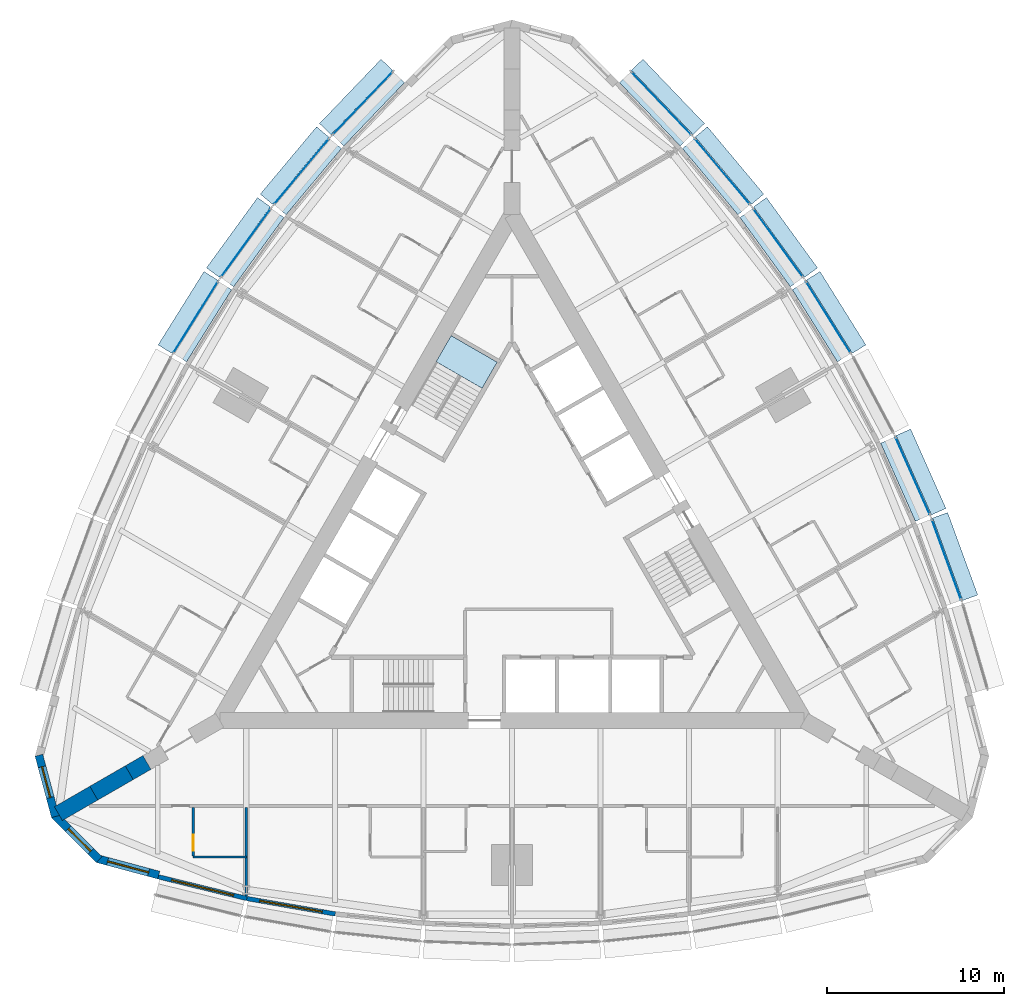
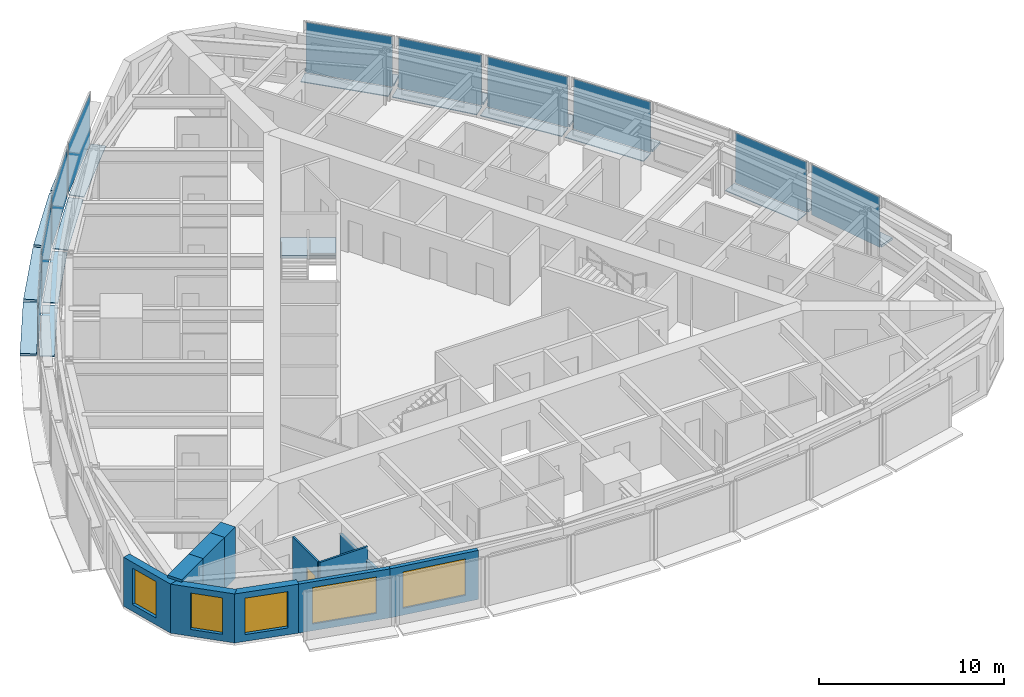
# One storey, part 7 of 14: 29 plates, 11 walls, 5 windows, 1 door, 1 slab, 6 openings, 11 elements without a shape of their own.
"""IFC4 building model written with IfcOpenShell, lengths in metres."""

from ifc_helpers import new_model, si_unit, direction, frame, frame_2d, origin, origin_2d, place, context, subcontext, project, spatial, polyline, rectangle, outline, extrude, material, layer, layer_set, type_object, element, fill, aggregate, save


model = new_model("IFC4")

# Units and contexts
model_context = context("Model", 3, precision=1e-05, world=origin(), true_north=direction((0.0, 1.0)))
body_context = subcontext(model_context, "Body", "Model", "MODEL_VIEW")
ifc_project = project(units=[si_unit("LENGTHUNIT", "METRE"), si_unit("AREAUNIT", "SQUARE_METRE"), si_unit("VOLUMEUNIT", "CUBIC_METRE"), si_unit("PLANEANGLEUNIT", "RADIAN"), si_unit("MASSUNIT", "GRAM", prefix="KILO")], contexts=[model_context])

# Site, building, storey
site_placement = place(None, origin())
site = spatial("IfcSite", under=ifc_project, at=site_placement, CompositionType="ELEMENT")
building_placement = place(site_placement, origin())
building = spatial("IfcBuilding", under=site, at=building_placement, Name="Trikona Tower", CompositionType="ELEMENT")
storey_placement = place(building_placement, frame((0.0, 0.0, 131.699951171875)))
storey = spatial("IfcBuildingStorey", under=building, at=storey_placement, Name="L34", CompositionType="ELEMENT", Elevation=131.699951171875)

# Plates
ifc_material_1 = material(Name="Aluminium bar grating", Category="aluminium")
ifc_layer_1 = layer(ifc_material_1, 0.050048828125)
ifc_layer_set_1 = layer_set([ifc_layer_1], Name="Cavity catwalk grating")
plate_type_1 = type_object("IfcPlateType", Name="Cavity catwalk grating", PredefinedType="USERDEFINED", material=ifc_layer_set_1)
plate_1_placement = place(storey_placement, frame((22.175048828125, 4.092529296875, -0.0498046875), z_axis=(0.0, 0.0, 1.0), x_axis=(-0.406843467615, 0.913497888809, 0.0)))
element("IfcPlate", 1, at=plate_1_placement, inside=storey, type_object=plate_type_1, Name="Cavity catwalk L34-14", ObjectType="CATWALK GRATING", PredefinedType="USERDEFINED", context=body_context, shape_type="SweptSolid", body=[
    extrude(rectangle(XDim=4.827392578125, YDim=0.830078125, at=origin_2d()), origin(), (0.0, 0.0, 1.0), 0.050048828125),
])
plate_2_placement = place(storey_placement, frame((17.450927734375, 12.978759765625, -0.0498046875), z_axis=(0.0, 0.0, 1.0), x_axis=(-0.529994748414, 0.848000923734, 0.0)))
element("IfcPlate", 2, at=plate_2_placement, inside=storey, type_object=plate_type_1, Name="Cavity catwalk L34-16", ObjectType="CATWALK GRATING", PredefinedType="USERDEFINED", context=body_context, shape_type="SweptSolid", body=[
    extrude(rectangle(XDim=4.802978515625, YDim=0.830078125, at=origin_2d()), origin(), (0.0, 0.0, 1.0), 0.050048828125),
])
plate_3_placement = place(storey_placement, frame((14.6318359375, 17.157958984375, -0.0498046875), z_axis=(0.0, 0.0, 1.0), x_axis=(-0.587686407834, 0.809088799853, 0.0)))
element("IfcPlate", 3, at=plate_3_placement, inside=storey, type_object=plate_type_1, Name="Cavity catwalk L34-17", ObjectType="CATWALK GRATING", PredefinedType="USERDEFINED", context=body_context, shape_type="SweptSolid", body=[
    extrude(rectangle(XDim=4.827392578125, YDim=0.830078125, at=origin_2d()), origin(), (0.0, 0.0, 1.0), 0.050048828125),
])
plate_4_placement = place(storey_placement, frame((11.508056640625, 21.160400390625, -0.0498046875), z_axis=(0.0, 0.0, 1.0), x_axis=(-0.641807063101, 0.766866151133, 0.0)))
element("IfcPlate", 4, at=plate_4_placement, inside=storey, type_object=plate_type_1, Name="Cavity catwalk L34-18", ObjectType="CATWALK GRATING", PredefinedType="USERDEFINED", context=body_context, shape_type="SweptSolid", body=[
    extrude(rectangle(XDim=4.8759765625, YDim=0.830078125, at=origin_2d()), origin(), (0.0, 0.0, 1.0), 0.050048828125),
])
for number, where, z_axis, x_axis, name in (
    (5, (8.080078125, 24.986328125, -0.0498046875), (0.0, 0.0, 1.0), (-0.691723573819, 0.722162376078, 0.0), "Cavity catwalk L34-19"),
    (6, (-8.080078125, 24.986328125, -0.0498046875), (0.0, 0.0, 1.0), (-0.691723573819, -0.722162376078, 0.0), "Cavity catwalk L34-24"),
):
    element("IfcPlate", number, at=place(storey_placement, frame(where, z_axis=z_axis, x_axis=x_axis)), inside=storey, type_object=plate_type_1, Name=name, ObjectType="CATWALK GRATING", PredefinedType="USERDEFINED", context=body_context, shape_type="SweptSolid", body=[
        extrude(rectangle(XDim=4.947998046875, YDim=0.830078125, at=origin_2d()), origin(), (0.0, 0.0, 1.0), 0.050048828125),
    ])
plate_5_placement = place(storey_placement, frame((-11.508056640625, 21.160400390625, -0.0498046875), z_axis=(0.0, 0.0, 1.0), x_axis=(-0.641807063101, -0.766866151133, 0.0)))
element("IfcPlate", 7, at=plate_5_placement, inside=storey, type_object=plate_type_1, Name="Cavity catwalk L34-25", ObjectType="CATWALK GRATING", PredefinedType="USERDEFINED", context=body_context, shape_type="SweptSolid", body=[
    extrude(rectangle(XDim=4.8759765625, YDim=0.830078125, at=origin_2d()), origin(), (0.0, 0.0, 1.0), 0.050048828125),
])
plate_6_placement = place(storey_placement, frame((-14.6318359375, 17.157958984375, -0.0498046875), z_axis=(0.0, 0.0, 1.0), x_axis=(-0.587686407834, -0.809088799853, 0.0)))
element("IfcPlate", 8, at=plate_6_placement, inside=storey, type_object=plate_type_1, Name="Cavity catwalk L34-26", ObjectType="CATWALK GRATING", PredefinedType="USERDEFINED", context=body_context, shape_type="SweptSolid", body=[
    extrude(rectangle(XDim=4.827392578125, YDim=0.830078125, at=origin_2d()), origin(), (0.0, 0.0, 1.0), 0.050048828125),
])
plate_7_placement = place(storey_placement, frame((-17.450927734375, 12.978759765625, -0.0498046875), z_axis=(0.0, 0.0, 1.0), x_axis=(-0.529994748414, -0.848000923734, 0.0)))
element("IfcPlate", 9, at=plate_7_placement, inside=storey, type_object=plate_type_1, Name="Cavity catwalk L34-27", ObjectType="CATWALK GRATING", PredefinedType="USERDEFINED", context=body_context, shape_type="SweptSolid", body=[
    extrude(rectangle(XDim=4.802978515625, YDim=0.830078125, at=origin_2d()), origin(), (0.0, 0.0, 1.0), 0.050048828125),
])

# Curtain wall, plate
ifc_material_2 = material(Name="Aluminium curtain wall system", Category="aluminium")
curtain_wall_type = type_object("IfcCurtainWallType", Name="Curtain wall DS2", PredefinedType="NOTDEFINED", material=ifc_material_2)
curtain_wall_1_placement = place(storey_placement, origin())
curtain_wall_1 = element("IfcCurtainWall", 10, at=curtain_wall_1_placement, inside=storey, type_object=curtain_wall_type, Name="Curtain wall DS2 L34", PredefinedType="NOTDEFINED")
ifc_material_3 = material(Name="Laminated clear glass", Category="glass")
ifc_layer_2 = layer(ifc_material_3, 0.028076171875)
ifc_layer_set_2 = layer_set([ifc_layer_2], Name="Glass panel DS2")
plate_type_2 = type_object("IfcPlateType", Name="Glass panel DS2", PredefinedType="CURTAIN_PANEL", material=ifc_layer_set_2)
plate_8_placement = place(storey_placement, frame((24.53515625, -0.447509765625, 0.0), z_axis=(0.0, 0.0, 1.0), x_axis=(-0.343223420143, 0.939253790978, 0.0)))
plate_8 = element("IfcPlate", 11, at=plate_8_placement, type_object=plate_type_2, Name="CW-DS2 panel 1.1", PredefinedType="CURTAIN_PANEL", context=body_context, shape_type="SweptSolid", body=[
    extrude(rectangle(XDim=4.7958984375, YDim=0.028076171875, at=origin_2d()), origin(), (0.0, 0.0, 1.0), 3.320068359375),
])
aggregate(curtain_wall_1, [plate_8])

curtain_wall_2_placement = place(storey_placement, origin())
curtain_wall_2 = element("IfcCurtainWall", 12, at=curtain_wall_2_placement, inside=storey, type_object=curtain_wall_type, Name="Curtain wall DS2 L34", PredefinedType="NOTDEFINED")
plate_9_placement = place(storey_placement, frame((22.6181640625, 4.289794921875, 0.0), z_axis=(0.0, 0.0, 1.0), x_axis=(-0.406836013132, 0.913501208767, 0.0)))
plate_9 = element("IfcPlate", 13, at=plate_9_placement, type_object=plate_type_2, Name="CW-DS2 panel 1.1", PredefinedType="CURTAIN_PANEL", context=body_context, shape_type="SweptSolid", body=[
    extrude(rectangle(XDim=4.747314453125, YDim=0.028076171875, at=origin_2d()), origin(), (0.0, 0.0, 1.0), 3.320068359375),
])
aggregate(curtain_wall_2, [plate_9])

curtain_wall_3_placement = place(storey_placement, origin())
curtain_wall_3 = element("IfcCurtainWall", 14, at=curtain_wall_3_placement, inside=storey, type_object=curtain_wall_type, Name="Curtain wall DS2 L34", PredefinedType="NOTDEFINED")
plate_10_placement = place(storey_placement, frame((17.8623046875, 13.23583984375, 0.0), z_axis=(0.0, 0.0, 1.0), x_axis=(-0.529998940002, 0.847998304006, 0.0)))
plate_10 = element("IfcPlate", 15, at=plate_10_placement, type_object=plate_type_2, Name="CW-DS2 panel 1.1", PredefinedType="CURTAIN_PANEL", context=body_context, shape_type="SweptSolid", body=[
    extrude(rectangle(XDim=4.72314453125, YDim=0.028076171875, at=origin_2d()), origin(), (0.0, 0.0, 1.0), 3.320068359375),
])
aggregate(curtain_wall_3, [plate_10])

curtain_wall_4_placement = place(storey_placement, origin())
curtain_wall_4 = element("IfcCurtainWall", 16, at=curtain_wall_4_placement, inside=storey, type_object=curtain_wall_type, Name="Curtain wall DS2 L34", PredefinedType="NOTDEFINED")
plate_11_placement = place(storey_placement, frame((15.024169921875, 17.443115234375, 0.0), z_axis=(0.0, 0.0, 1.0), x_axis=(-0.587690588313, 0.80908576332, 0.0)))
plate_11 = element("IfcPlate", 17, at=plate_11_placement, type_object=plate_type_2, Name="CW-DS2 panel 1.1", PredefinedType="CURTAIN_PANEL", context=body_context, shape_type="SweptSolid", body=[
    extrude(rectangle(XDim=4.74755859375, YDim=0.028076171875, at=origin_2d()), origin(), (0.0, 0.0, 1.0), 3.320068359375),
])
aggregate(curtain_wall_4, [plate_11])

curtain_wall_5_placement = place(storey_placement, origin())
curtain_wall_5 = element("IfcCurtainWall", 18, at=curtain_wall_5_placement, inside=storey, type_object=curtain_wall_type, Name="Curtain wall DS2 L34", PredefinedType="NOTDEFINED")
plate_12_placement = place(storey_placement, frame((11.8798828125, 21.4716796875, 0.0), z_axis=(0.0, 0.0, 1.0), x_axis=(-0.641806433248, 0.766866678271, 0.0)))
plate_12 = element("IfcPlate", 19, at=plate_12_placement, type_object=plate_type_2, Name="CW-DS2 panel 1.1", PredefinedType="CURTAIN_PANEL", context=body_context, shape_type="SweptSolid", body=[
    extrude(rectangle(XDim=4.7958984375, YDim=0.028076171875, at=origin_2d()), origin(), (0.0, 0.0, 1.0), 3.320068359375),
])
aggregate(curtain_wall_5, [plate_12])

curtain_wall_6_placement = place(storey_placement, origin())
curtain_wall_6 = element("IfcCurtainWall", 20, at=curtain_wall_6_placement, inside=storey, type_object=curtain_wall_type, Name="Curtain wall DS2 L34", PredefinedType="NOTDEFINED")
plate_13_placement = place(storey_placement, frame((8.430419921875, 25.32177734375, 0.0), z_axis=(0.0, 0.0, 1.0), x_axis=(-0.691727797117, 0.722158330767, 0.0)))
plate_13 = element("IfcPlate", 21, at=plate_13_placement, type_object=plate_type_2, Name="CW-DS2 panel 1.1", PredefinedType="CURTAIN_PANEL", context=body_context, shape_type="SweptSolid", body=[
    extrude(rectangle(XDim=4.867919921875, YDim=0.028076171875, at=origin_2d()), origin(), (0.0, 0.0, 1.0), 3.320068359375),
])
aggregate(curtain_wall_6, [plate_13])

curtain_wall_7_placement = place(storey_placement, origin())
curtain_wall_7 = element("IfcCurtainWall", 22, at=curtain_wall_7_placement, inside=storey, type_object=curtain_wall_type, Name="Curtain wall DS2 L34", PredefinedType="NOTDEFINED")
plate_14_placement = place(storey_placement, frame((-8.430419921875, 25.32177734375, 0.0), z_axis=(0.0, 0.0, 1.0), x_axis=(-0.691727797117, -0.722158330767, 0.0)))
plate_14 = element("IfcPlate", 23, at=plate_14_placement, type_object=plate_type_2, Name="CW-DS2 panel 1.1", PredefinedType="CURTAIN_PANEL", context=body_context, shape_type="SweptSolid", body=[
    extrude(rectangle(XDim=4.867919921875, YDim=0.028076171875, at=origin_2d()), origin(), (0.0, 0.0, 1.0), 3.320068359375),
])
aggregate(curtain_wall_7, [plate_14])

curtain_wall_8_placement = place(storey_placement, origin())
curtain_wall_8 = element("IfcCurtainWall", 24, at=curtain_wall_8_placement, inside=storey, type_object=curtain_wall_type, Name="Curtain wall DS2 L34", PredefinedType="NOTDEFINED")
plate_15_placement = place(storey_placement, frame((-11.8798828125, 21.4716796875, 0.0), z_axis=(0.0, 0.0, 1.0), x_axis=(-0.641806433248, -0.766866678271, 0.0)))
plate_15 = element("IfcPlate", 25, at=plate_15_placement, type_object=plate_type_2, Name="CW-DS2 panel 1.1", PredefinedType="CURTAIN_PANEL", context=body_context, shape_type="SweptSolid", body=[
    extrude(rectangle(XDim=4.7958984375, YDim=0.028076171875, at=origin_2d()), origin(), (0.0, 0.0, 1.0), 3.320068359375),
])
aggregate(curtain_wall_8, [plate_15])

curtain_wall_9_placement = place(storey_placement, origin())
curtain_wall_9 = element("IfcCurtainWall", 26, at=curtain_wall_9_placement, inside=storey, type_object=curtain_wall_type, Name="Curtain wall DS2 L34", PredefinedType="NOTDEFINED")
plate_16_placement = place(storey_placement, frame((-15.024169921875, 17.443115234375, 0.0), z_axis=(0.0, 0.0, 1.0), x_axis=(-0.587690588313, -0.80908576332, 0.0)))
plate_16 = element("IfcPlate", 27, at=plate_16_placement, type_object=plate_type_2, Name="CW-DS2 panel 1.1", PredefinedType="CURTAIN_PANEL", context=body_context, shape_type="SweptSolid", body=[
    extrude(rectangle(XDim=4.74755859375, YDim=0.028076171875, at=origin_2d()), origin(), (0.0, 0.0, 1.0), 3.320068359375),
])
aggregate(curtain_wall_9, [plate_16])

curtain_wall_10_placement = place(storey_placement, origin())
curtain_wall_10 = element("IfcCurtainWall", 28, at=curtain_wall_10_placement, inside=storey, type_object=curtain_wall_type, Name="Curtain wall DS2 L34", PredefinedType="NOTDEFINED")
plate_17_placement = place(storey_placement, frame((-17.8623046875, 13.23583984375, 0.0), z_axis=(0.0, 0.0, 1.0), x_axis=(-0.529998940002, -0.847998304006, 0.0)))
plate_17 = element("IfcPlate", 29, at=plate_17_placement, type_object=plate_type_2, Name="CW-DS2 panel 1.1", PredefinedType="CURTAIN_PANEL", context=body_context, shape_type="SweptSolid", body=[
    extrude(rectangle(XDim=4.72314453125, YDim=0.028076171875, at=origin_2d()), origin(), (0.0, 0.0, 1.0), 3.320068359375),
])
aggregate(curtain_wall_10, [plate_17])

# Plates
ifc_material_4 = material(Name="Aluminium plate fin, pale anodised, on stainless steel outriggers", Category="steel")
ifc_layer_3 = layer(ifc_material_4, 0.14990234375)
ifc_layer_set_3 = layer_set([ifc_layer_3], Name="Outer skin fin 900")
plate_type_3 = type_object("IfcPlateType", Name="Outer skin fin 900", PredefinedType="USERDEFINED", material=ifc_layer_set_3)
plate_18_placement = place(storey_placement, frame((25.0234375, -0.26904296875, 0.0), z_axis=(0.0, 0.0, 1.0), x_axis=(-0.343220397324, 0.939254895575, 0.0)))
element("IfcPlate", 30, at=plate_18_placement, inside=storey, type_object=plate_type_3, Name="Outer skin fin L34-13", ObjectType="FIN", PredefinedType="USERDEFINED", context=body_context, shape_type="SweptSolid", body=[
    extrude(rectangle(XDim=4.9560546875, YDim=0.89990234375, at=origin_2d()), origin(), (0.0, 0.0, 1.0), 0.14990234375),
])
plate_19_placement = place(storey_placement, frame((23.09326171875, 4.50146484375, 0.0), z_axis=(0.0, 0.0, 1.0), x_axis=(-0.406843467615, 0.913497888809, 0.0)))
element("IfcPlate", 31, at=plate_19_placement, inside=storey, type_object=plate_type_3, Name="Outer skin fin L34-14", ObjectType="FIN", PredefinedType="USERDEFINED", context=body_context, shape_type="SweptSolid", body=[
    extrude(rectangle(XDim=4.907470703125, YDim=0.89990234375, at=origin_2d()), origin(), (0.0, 0.0, 1.0), 0.14990234375),
])
plate_20_placement = place(storey_placement, frame((18.30322265625, 13.511474609375, 0.0), z_axis=(0.0, 0.0, 1.0), x_axis=(-0.529994748414, 0.848000923734, 0.0)))
element("IfcPlate", 32, at=plate_20_placement, inside=storey, type_object=plate_type_3, Name="Outer skin fin L34-16", ObjectType="FIN", PredefinedType="USERDEFINED", context=body_context, shape_type="SweptSolid", body=[
    extrude(rectangle(XDim=4.883056640625, YDim=0.89990234375, at=origin_2d()), origin(), (0.0, 0.0, 1.0), 0.14990234375),
])
plate_21_placement = place(storey_placement, frame((15.44482421875, 17.74853515625, 0.0), z_axis=(0.0, 0.0, 1.0), x_axis=(-0.587686407834, 0.809088799853, 0.0)))
element("IfcPlate", 33, at=plate_21_placement, inside=storey, type_object=plate_type_3, Name="Outer skin fin L34-17", ObjectType="FIN", PredefinedType="USERDEFINED", context=body_context, shape_type="SweptSolid", body=[
    extrude(rectangle(XDim=4.907470703125, YDim=0.89990234375, at=origin_2d()), origin(), (0.0, 0.0, 1.0), 0.14990234375),
])
plate_22_placement = place(storey_placement, frame((12.27880859375, 21.8056640625, 0.0), z_axis=(0.0, 0.0, 1.0), x_axis=(-0.641807063101, 0.766866151133, 0.0)))
element("IfcPlate", 34, at=plate_22_placement, inside=storey, type_object=plate_type_3, Name="Outer skin fin L34-18", ObjectType="FIN", PredefinedType="USERDEFINED", context=body_context, shape_type="SweptSolid", body=[
    extrude(rectangle(XDim=4.9560546875, YDim=0.89990234375, at=origin_2d()), origin(), (0.0, 0.0, 1.0), 0.14990234375),
])
for number, where, z_axis, x_axis, name in (
    (35, (8.805908203125, 25.681396484375, 0.0), (0.0, 0.0, 1.0), (-0.691723573819, 0.722162376078, 0.0), "Outer skin fin L34-19"),
    (36, (-8.805908203125, 25.681396484375, 0.0), (0.0, 0.0, 1.0), (-0.691723573819, -0.722162376078, 0.0), "Outer skin fin L34-24"),
):
    element("IfcPlate", number, at=place(storey_placement, frame(where, z_axis=z_axis, x_axis=x_axis)), inside=storey, type_object=plate_type_3, Name=name, ObjectType="FIN", PredefinedType="USERDEFINED", context=body_context, shape_type="SweptSolid", body=[
        extrude(rectangle(XDim=5.02783203125, YDim=0.89990234375, at=origin_2d()), origin(), (0.0, 0.0, 1.0), 0.14990234375),
    ])
plate_23_placement = place(storey_placement, frame((-12.27880859375, 21.8056640625, 0.0), z_axis=(0.0, 0.0, 1.0), x_axis=(-0.641807063101, -0.766866151133, 0.0)))
element("IfcPlate", 37, at=plate_23_placement, inside=storey, type_object=plate_type_3, Name="Outer skin fin L34-25", ObjectType="FIN", PredefinedType="USERDEFINED", context=body_context, shape_type="SweptSolid", body=[
    extrude(rectangle(XDim=4.9560546875, YDim=0.89990234375, at=origin_2d()), origin(), (0.0, 0.0, 1.0), 0.14990234375),
])
plate_24_placement = place(storey_placement, frame((-15.44482421875, 17.74853515625, 0.0), z_axis=(0.0, 0.0, 1.0), x_axis=(-0.587686407834, -0.809088799853, 0.0)))
element("IfcPlate", 38, at=plate_24_placement, inside=storey, type_object=plate_type_3, Name="Outer skin fin L34-26", ObjectType="FIN", PredefinedType="USERDEFINED", context=body_context, shape_type="SweptSolid", body=[
    extrude(rectangle(XDim=4.907470703125, YDim=0.89990234375, at=origin_2d()), origin(), (0.0, 0.0, 1.0), 0.14990234375),
])
plate_25_placement = place(storey_placement, frame((-18.30322265625, 13.511474609375, 0.0), z_axis=(0.0, 0.0, 1.0), x_axis=(-0.529994748414, -0.848000923734, 0.0)))
element("IfcPlate", 39, at=plate_25_placement, inside=storey, type_object=plate_type_3, Name="Outer skin fin L34-27", ObjectType="FIN", PredefinedType="USERDEFINED", context=body_context, shape_type="SweptSolid", body=[
    extrude(rectangle(XDim=4.883056640625, YDim=0.89990234375, at=origin_2d()), origin(), (0.0, 0.0, 1.0), 0.14990234375),
])

# Stair, slab
ifc_material_5 = material(Name="Concrete f'c 5000 psi", Category="concrete")
stair_type = type_object("IfcStairType", Name="Core stair", PredefinedType="HALF_TURN_STAIR", material=ifc_material_5)
stair_placement = place(storey_placement, origin())
stair = element("IfcStair", 40, at=stair_placement, inside=storey, type_object=stair_type, Name="Stair C L34", PredefinedType="HALF_TURN_STAIR")
ifc_material_6 = material(Name="Concrete f'c 5000 psi", Category="concrete")
ifc_layer_4 = layer(ifc_material_6, 0.199951171875)
ifc_layer_set_4 = layer_set([ifc_layer_4], Name="Stair landing 200")
slab_type = type_object("IfcSlabType", Name="Stair landing 200", PredefinedType="LANDING", material=ifc_layer_set_4)
slab_placement = place(storey_placement, frame((0.0, 0.0, 1.5)))
slab = element("IfcSlab", 41, at=slab_placement, type_object=slab_type, Name="ST-C landing 2", PredefinedType="LANDING", context=body_context, shape_type="SweptSolid", body=[
    extrude(outline(polyline([(-0.837158203125, 10.702392578125), (-1.688720703125, 9.2275390625), (-4.286865234375, 10.7275390625), (-3.435302734375, 12.202392578125), (-0.837158203125, 10.702392578125)])), origin(), (0.0, 0.0, 1.0), 0.199951171875),
])
aggregate(stair, [slab])

# Wall
ifc_material_7 = material(Name="Metal stud and cement board", Category="gypsum")
ifc_layer_5 = layer(ifc_material_7, 0.1201171875)
ifc_layer_set_5 = layer_set([ifc_layer_5], Name="Bathroom wall 120")
wall_type_1 = type_object("IfcWallType", Name="Bathroom wall 120", PredefinedType="PLUMBINGWALL", material=ifc_layer_set_5)
wall_1_placement = place(storey_placement, frame((-18.0, -17.226318359375, 0.0), z_axis=(0.0, 0.0, 1.0), x_axis=(1.0, 0.0, 0.0)))
element("IfcWall", 42, at=wall_1_placement, inside=storey, type_object=wall_type_1, Name="Bathroom wall 3401", PredefinedType="PLUMBINGWALL", context=body_context, shape_type="SweptSolid", body=[
    extrude(rectangle(XDim=3.0, YDim=0.1201171875, at=frame_2d((1.5, 0.0))), origin(), (0.0, 0.0, 1.0), 3.235107421875),
])

# Wall, opening, door
wall_2_placement = place(storey_placement, frame((-18.0, -14.42626953125, 0.0), z_axis=(0.0, 0.0, 1.0), x_axis=(0.0, -1.0, 0.0)))
wall_2 = element("IfcWall", 43, at=wall_2_placement, inside=storey, type_object=wall_type_1, Name="Bathroom wall 3401", PredefinedType="PLUMBINGWALL", context=body_context, shape_type="SweptSolid", body=[
    extrude(rectangle(XDim=2.739990234375, YDim=0.1201171875, at=frame_2d((1.3701171875, 0.0))), origin(), (0.0, 0.0, 1.0), 3.235107421875),
])
opening_1_placement = place(wall_2_placement, frame((1.550048828125, 0.0, 0.0)))
opening_1 = element("IfcOpeningElement", 44, at=opening_1_placement, cuts=wall_2, Name="Opening D2", PredefinedType="OPENING", context=body_context, shape_type="SweptSolid", body=[
    extrude(rectangle(XDim=0.89990234375, YDim=2.1298828125, at=frame_2d((0.449951171875, 1.06494140625))), frame((0.0, 0.070068359375, 0.0), z_axis=(0.0, -1.0, 0.0), x_axis=(1.0, 0.0, 0.0)), (0.0, 0.0, 1.0), 0.14013671875),
])
ifc_material_8 = material(Name="Steel door frame with solid-core timber leaf", Category="steel")
door_type = type_object("IfcDoorType", Name="Bathroom door 900x2130", OperationType="SLIDING_TO_LEFT", PredefinedType="DOOR", material=ifc_material_8)
door_placement = place(opening_1_placement, origin())
door = element("IfcDoor", 45, at=door_placement, inside=storey, type_object=door_type, Name="Bathroom door 3401", OperationType="SLIDING_TO_LEFT", OverallHeight=2.1298828125, OverallWidth=0.89990234375, PredefinedType="DOOR", context=body_context, shape_type="SweptSolid", body=[
    extrude(rectangle(XDim=0.89990234375, YDim=2.1298828125, at=frame_2d((0.449951171875, 1.06494140625))), frame((0.0, 0.02490234375, 0.0), z_axis=(0.0, -1.0, 0.0), x_axis=(1.0, 0.0, 0.0)), (0.0, 0.0, 1.0), 0.050048828125),
])
fill(opening_1, door)

# Wall, opening, window
ifc_material_9 = material(Name="Brick-faced precast concrete", Category="masonry")
ifc_layer_6 = layer(ifc_material_9, 0.449951171875)
ifc_layer_set_6 = layer_set([ifc_layer_6], Name="Brick-faced corner wall 450")
wall_type_2 = type_object("IfcWallType", Name="Brick-faced corner wall 450", PredefinedType="SOLIDWALL", material=ifc_layer_set_6)
wall_3_placement = place(storey_placement, frame((-26.7109375, -11.48876953125, 0.0), z_axis=(0.0, 0.0, 1.0), x_axis=(0.258823421857, -0.965924653531, 0.0)))
wall_3 = element("IfcWall", 46, at=wall_3_placement, inside=storey, type_object=wall_type_2, Name="External wall L34-33", PredefinedType="SOLIDWALL", context=body_context, shape_type="SweptSolid", body=[
    extrude(outline(polyline([(3.58642578125, 0.22509765625), (3.52685546875, 0.22509765625), (3.03515625, 0.09326171875), (3.0, 0.22509765625), (0.0, 0.22509765625), (0.0, -0.22509765625), (3.58642578125, -0.22509765625), (3.58642578125, 0.22509765625)])), origin(), (0.0, 0.0, 1.0), 3.235107421875),
])
opening_2_placement = place(wall_3_placement, frame((0.6748046875, 0.0, 0.449951171875)))
opening_2 = element("IfcOpeningElement", 47, at=opening_2_placement, cuts=wall_3, Name="Opening W1824", PredefinedType="OPENING", context=body_context, shape_type="SweptSolid", body=[
    extrude(rectangle(XDim=1.800048828125, YDim=2.39990234375, at=frame_2d((0.89990234375, 1.199951171875))), frame((0.0, 0.23486328125, 0.0), z_axis=(0.0, -1.0, 0.0), x_axis=(1.0, 0.0, 0.0)), (0.0, 0.0, 1.0), 0.469970703125),
])
ifc_material_10 = material(Name="Aluminium-framed double glazing", Category="aluminium")
window_type_1 = type_object("IfcWindowType", Name="Window 1800x2400", PartitioningType="SINGLE_PANEL", PredefinedType="WINDOW", material=ifc_material_10)
window_1_placement = place(opening_2_placement, origin())
window_1 = element("IfcWindow", 48, at=window_1_placement, inside=storey, type_object=window_type_1, Name="Window 3418", OverallHeight=2.39990234375, OverallWidth=1.800048828125, PartitioningType="SINGLE_PANEL", PredefinedType="WINDOW", context=body_context, shape_type="SweptSolid", body=[
    extrude(rectangle(XDim=1.800048828125, YDim=2.39990234375, at=frame_2d((0.89990234375, 1.199951171875))), frame((0.0, 0.030029296875, 0.0), z_axis=(0.0, -1.0, 0.0), x_axis=(1.0, 0.0, 0.0)), (0.0, 0.0, 1.0), 0.06005859375),
])
fill(opening_2, window_1)

wall_4_placement = place(storey_placement, frame((-25.8408203125, -14.85205078125, 0.0), z_axis=(0.0, 0.0, 1.0), x_axis=(0.707106781187, -0.707106781187, 0.0)))
wall_4 = element("IfcWall", 49, at=wall_4_placement, inside=storey, type_object=wall_type_2, Name="External wall L34-34", PredefinedType="SOLIDWALL", context=body_context, shape_type="SweptSolid", body=[
    extrude(outline(polyline([(3.586181640625, 0.22509765625), (0.58642578125, 0.22509765625), (0.551025390625, 0.09326171875), (0.05908203125, 0.22509765625), (0.0, 0.22509765625), (0.0, -0.22509765625), (3.586181640625, -0.22509765625), (3.586181640625, 0.22509765625)])), origin(), (0.0, 0.0, 1.0), 3.235107421875),
])
opening_3_placement = place(wall_4_placement, frame((1.111328125, 0.0, 0.449951171875)))
opening_3 = element("IfcOpeningElement", 50, at=opening_3_placement, cuts=wall_4, Name="Opening W1824", PredefinedType="OPENING", context=body_context, shape_type="SweptSolid", body=[
    extrude(rectangle(XDim=1.800048828125, YDim=2.39990234375, at=frame_2d((0.89990234375, 1.199951171875))), frame((0.0, 0.23486328125, 0.0), z_axis=(0.0, -1.0, 0.0), x_axis=(1.0, 0.0, 0.0)), (0.0, 0.0, 1.0), 0.469970703125),
])
window_2_placement = place(opening_3_placement, origin())
window_2 = element("IfcWindow", 51, at=window_2_placement, inside=storey, type_object=window_type_1, Name="Window 3401", OverallHeight=2.39990234375, OverallWidth=1.800048828125, PartitioningType="SINGLE_PANEL", PredefinedType="WINDOW", context=body_context, shape_type="SweptSolid", body=[
    extrude(rectangle(XDim=1.800048828125, YDim=2.39990234375, at=frame_2d((0.89990234375, 1.199951171875))), frame((0.0, 0.030029296875, 0.0), z_axis=(0.0, -1.0, 0.0), x_axis=(1.0, 0.0, 0.0)), (0.0, 0.0, 1.0), 0.06005859375),
])
fill(opening_3, window_2)

wall_5_placement = place(storey_placement, frame((-23.406005859375, -17.32958984375, 0.0), z_axis=(0.0, 0.0, 1.0), x_axis=(0.965924653531, -0.258823421857, 0.0)))
wall_5 = element("IfcWall", 52, at=wall_5_placement, inside=storey, type_object=wall_type_2, Name="External wall L34-35", PredefinedType="SOLIDWALL", context=body_context, shape_type="SweptSolid", body=[
    extrude(rectangle(XDim=3.58642578125, YDim=0.449951171875, at=frame_2d((1.793212890625, 0.0))), origin(), (0.0, 0.0, 1.0), 3.235107421875),
])
opening_4_placement = place(wall_5_placement, frame((0.593017578125, 0.0, 0.449951171875)))
opening_4 = element("IfcOpeningElement", 53, at=opening_4_placement, cuts=wall_5, Name="Opening W2424", PredefinedType="OPENING", context=body_context, shape_type="SweptSolid", body=[
    extrude(rectangle(XDim=2.39990234375, YDim=2.39990234375, at=frame_2d((1.199951171875, 1.199951171875))), frame((0.0, 0.23486328125, 0.0), z_axis=(0.0, -1.0, 0.0), x_axis=(1.0, 0.0, 0.0)), (0.0, 0.0, 1.0), 0.469970703125),
])
ifc_material_11 = material(Name="Aluminium-framed double glazing", Category="aluminium")
window_type_2 = type_object("IfcWindowType", Name="Window 2400x2400", PartitioningType="SINGLE_PANEL", PredefinedType="WINDOW", material=ifc_material_11)
window_3_placement = place(opening_4_placement, origin())
window_3 = element("IfcWindow", 54, at=window_3_placement, inside=storey, type_object=window_type_2, Name="Window 3401", OverallHeight=2.39990234375, OverallWidth=2.39990234375, PartitioningType="SINGLE_PANEL", PredefinedType="WINDOW", context=body_context, shape_type="SweptSolid", body=[
    extrude(rectangle(XDim=2.39990234375, YDim=2.39990234375, at=frame_2d((1.199951171875, 1.199951171875))), frame((0.0, 0.030029296875, 0.0), z_axis=(0.0, -1.0, 0.0), x_axis=(1.0, 0.0, 0.0)), (0.0, 0.0, 1.0), 0.06005859375),
])
fill(opening_4, window_3)

# Walls
ifc_material_12 = material(Name="Concrete f'c 10000 psi", Category="concrete")
ifc_layer_7 = layer(ifc_material_12, 0.89990234375)
ifc_layer_set_7 = layer_set([ifc_layer_7], Name="Buttress wall 900")
wall_type_3 = type_object("IfcWallType", Name="Buttress wall 900", PredefinedType="SHEAR", material=ifc_layer_set_7)
wall_6_placement = place(storey_placement, frame((-20.6103515625, -11.8994140625, 0.0), z_axis=(0.0, 0.0, 1.0), x_axis=(-0.866009537788, -0.500027479704, 0.0)))
element("IfcWall", 55, at=wall_6_placement, inside=storey, type_object=wall_type_3, Name="Buttress wall 3 part 2", PredefinedType="SHEAR", context=body_context, shape_type="SweptSolid", body=[
    extrude(rectangle(XDim=1.15478515625, YDim=0.89990234375, at=frame_2d((0.577392578125, 0.0))), origin(), (0.0, 0.0, 1.0), 3.400146484375),
])
for number, where, z_axis, x_axis, name in (
    (56, (-21.6103515625, -12.476806640625, 0.0), (0.0, 0.0, 1.0), (-0.866055313784, -0.499948190782, 0.0), "Buttress wall 3 part 3"),
    (57, (-23.6103515625, -13.63134765625, 0.0), (0.0, 0.0, 1.0), (-0.866009537788, -0.500027479704, 0.0), "Buttress wall 3 part 4"),
):
    element("IfcWall", number, at=place(storey_placement, frame(where, z_axis=z_axis, x_axis=x_axis)), inside=storey, type_object=wall_type_3, Name=name, PredefinedType="SHEAR", context=body_context, shape_type="SweptSolid", body=[
        extrude(rectangle(XDim=2.309326171875, YDim=0.89990234375, at=frame_2d((1.15478515625, 0.0))), origin(), (0.0, 0.0, 1.0), 3.400146484375),
    ])

# Wall, opening, window
ifc_material_13 = material(Name="Insulated precast concrete spandrel panel", Category="concrete")
ifc_layer_8 = layer(ifc_material_13, 0.25)
ifc_layer_set_8 = layer_set([ifc_layer_8], Name="Inner skin wall 250")
wall_type_4 = type_object("IfcWallType", Name="Inner skin wall 250", PredefinedType="STANDARD", material=ifc_layer_set_8)
wall_7_placement = place(storey_placement, frame((-19.97021484375, -18.353759765625, 0.0), z_axis=(0.0, 0.0, 1.0), x_axis=(0.971270024053, -0.237980126011, 0.0)))
wall_7 = element("IfcWall", 58, at=wall_7_placement, inside=storey, type_object=wall_type_4, Name="External wall L34-00", PredefinedType="STANDARD", context=body_context, shape_type="SweptSolid", body=[
    extrude(rectangle(XDim=5.14794921875, YDim=0.25, at=frame_2d((2.573974609375, 0.0))), origin(), (0.0, 0.0, 1.0), 3.235107421875),
])
opening_5_placement = place(wall_7_placement, frame((0.77392578125, 0.0, 0.449951171875)))
opening_5 = element("IfcOpeningElement", 59, at=opening_5_placement, cuts=wall_7, Name="Opening W3624", PredefinedType="OPENING", context=body_context, shape_type="SweptSolid", body=[
    extrude(rectangle(XDim=3.60009765625, YDim=2.39990234375, at=frame_2d((1.800048828125, 1.199951171875))), frame((0.0, 0.135009765625, 0.0), z_axis=(0.0, -1.0, 0.0), x_axis=(1.0, 0.0, 0.0)), (0.0, 0.0, 1.0), 0.27001953125),
])
ifc_material_14 = material(Name="Aluminium-framed double glazing", Category="aluminium")
window_type_3 = type_object("IfcWindowType", Name="Window 3600x2400", PartitioningType="SINGLE_PANEL", PredefinedType="WINDOW", material=ifc_material_14)
window_4_placement = place(opening_5_placement, origin())
window_4 = element("IfcWindow", 60, at=window_4_placement, inside=storey, type_object=window_type_3, Name="Window 3401", OverallHeight=2.39990234375, OverallWidth=3.60009765625, PartitioningType="SINGLE_PANEL", PredefinedType="WINDOW", context=body_context, shape_type="SweptSolid", body=[
    extrude(rectangle(XDim=3.60009765625, YDim=2.39990234375, at=frame_2d((1.800048828125, 1.199951171875))), frame((0.0, 0.030029296875, 0.0), z_axis=(0.0, -1.0, 0.0), x_axis=(1.0, 0.0, 0.0)), (0.0, 0.0, 1.0), 0.06005859375),
])
fill(opening_5, window_4)

wall_8_placement = place(storey_placement, frame((-14.978515625, -19.5771484375, 0.0), z_axis=(0.0, 0.0, 1.0), x_axis=(0.985030467156, -0.172380331752, 0.0)))
wall_8 = element("IfcWall", 61, at=wall_8_placement, inside=storey, type_object=wall_type_4, Name="External wall L34-01", PredefinedType="STANDARD", context=body_context, shape_type="SweptSolid", body=[
    extrude(rectangle(XDim=5.075927734375, YDim=0.25, at=frame_2d((2.5380859375, 0.0))), origin(), (0.0, 0.0, 1.0), 3.235107421875),
])
opening_6_placement = place(wall_8_placement, frame((0.738037109375, 0.0, 0.449951171875)))
opening_6 = element("IfcOpeningElement", 62, at=opening_6_placement, cuts=wall_8, Name="Opening W3624", PredefinedType="OPENING", context=body_context, shape_type="SweptSolid", body=[
    extrude(rectangle(XDim=3.60009765625, YDim=2.39990234375, at=frame_2d((1.800048828125, 1.199951171875))), frame((0.0, 0.135009765625, 0.0), z_axis=(0.0, -1.0, 0.0), x_axis=(1.0, 0.0, 0.0)), (0.0, 0.0, 1.0), 0.27001953125),
])
window_5_placement = place(opening_6_placement, origin())
window_5 = element("IfcWindow", 63, at=window_5_placement, inside=storey, type_object=window_type_3, Name="Window 3402", OverallHeight=2.39990234375, OverallWidth=3.60009765625, PartitioningType="SINGLE_PANEL", PredefinedType="WINDOW", context=body_context, shape_type="SweptSolid", body=[
    extrude(rectangle(XDim=3.60009765625, YDim=2.39990234375, at=frame_2d((1.800048828125, 1.199951171875))), frame((0.0, 0.030029296875, 0.0), z_axis=(0.0, -1.0, 0.0), x_axis=(1.0, 0.0, 0.0)), (0.0, 0.0, 1.0), 0.06005859375),
])
fill(opening_6, window_5)

# Wall
ifc_material_15 = material(Name="Metal stud and gypsum board, 1-hour acoustic", Category="gypsum")
ifc_layer_9 = layer(ifc_material_15, 0.14990234375)
ifc_layer_set_9 = layer_set([ifc_layer_9], Name="Party wall 150")
wall_type_5 = type_object("IfcWallType", Name="Party wall 150", PredefinedType="PARTITIONING", material=ifc_layer_set_9)
wall_9_placement = place(storey_placement, frame((-15.0, -14.42626953125, 0.0), z_axis=(0.0, 0.0, 1.0), x_axis=(0.0, -1.0, 0.0)))
element("IfcWall", 64, at=wall_9_placement, inside=storey, type_object=wall_type_5, Name="Partition L34 F1 u-15", PredefinedType="PARTITIONING", context=body_context, shape_type="SweptSolid", body=[
    extrude(rectangle(XDim=5.0166015625, YDim=0.14990234375, at=frame_2d((2.50830078125, 0.0))), origin(), (0.0, 0.0, 1.0), 2.38916015625),
])

save(model, "model.ifc")
